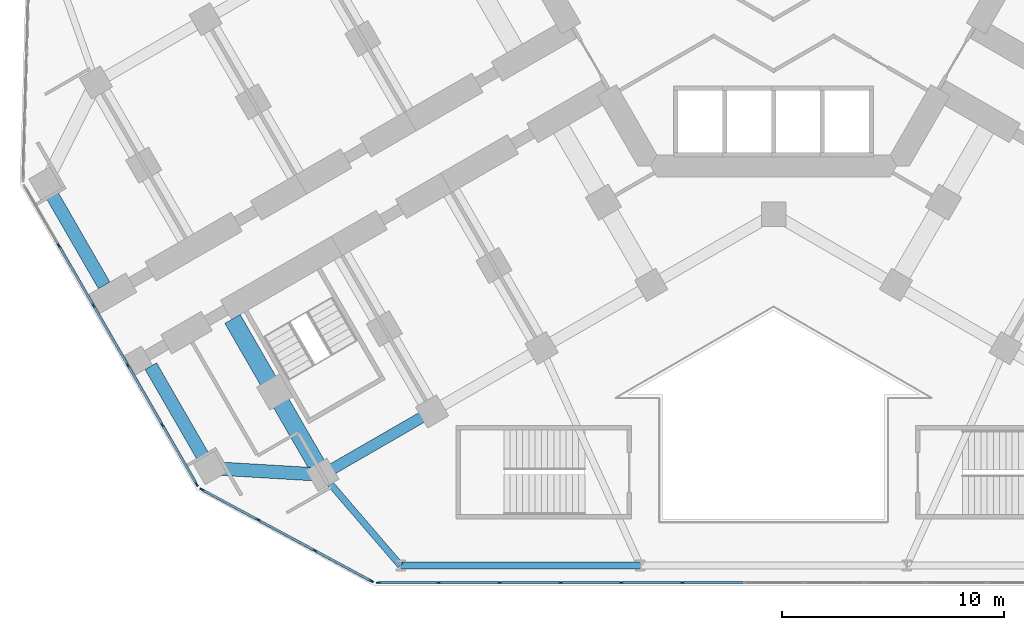
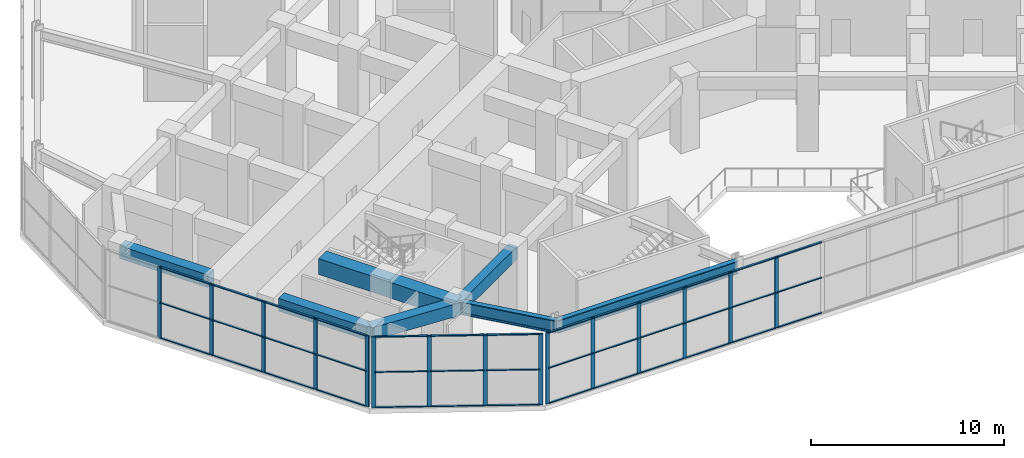
# One storey, part 2 of 22: 54 members, 7 beams, 3 elements without a shape of their own.
"""IFC4 building model written with IfcOpenShell, lengths in metres."""

from ifc_helpers import new_model, si_unit, direction, frame, origin, origin_2d, place, context, subcontext, project, spatial, rectangle, i_section, extrude, material, material_profile, profile_set, type_object, element, aggregate, save


model = new_model("IFC4")

# Units and contexts
model_context = context("Model", 3, precision=1e-05, world=origin(), true_north=direction((0.0, 1.0)))
body_context = subcontext(model_context, "Body", "Model", "MODEL_VIEW")
ifc_project = project(units=[si_unit("LENGTHUNIT", "METRE"), si_unit("AREAUNIT", "SQUARE_METRE"), si_unit("VOLUMEUNIT", "CUBIC_METRE"), si_unit("PLANEANGLEUNIT", "RADIAN"), si_unit("MASSUNIT", "GRAM", prefix="KILO")], contexts=[model_context])

# Site, building, storey
site_placement = place(None, origin())
site = spatial("IfcSite", under=ifc_project, at=site_placement, CompositionType="ELEMENT")
building_placement = place(site_placement, origin())
building = spatial("IfcBuilding", under=site, at=building_placement, Name="Kosmar Iwan School Tower", CompositionType="ELEMENT")
storey_placement = place(building_placement, frame((0.0, 0.0, 10.800048828125)))
storey = spatial("IfcBuildingStorey", under=building, at=storey_placement, Name="L02", CompositionType="ELEMENT", Elevation=10.800048828125)

# Beams
ifc_material_1 = material(Name="Steel S355", Category="steel")
ifc_material_profile_1 = material_profile(ifc_material_1, i_section(OverallWidth=0.300048828125, OverallDepth=0.800048828125, WebThickness=0.017578125, FlangeThickness=0.032958984375, FilletRadius=0.030029296875, at=origin_2d()), Name="HE 800 B")
ifc_profile_set_1 = profile_set([ifc_material_profile_1], Name="Steel S355")
beam_type_1 = type_object("IfcBeamType", Name="Infill edge beam HE 800 B", PredefinedType="BEAM", material=ifc_profile_set_1)
beam_1_placement = place(storey_placement, frame((-6.0, -27.60009765625, 4.099853515625), z_axis=(-1.0, 0.0, 0.0), x_axis=(0.0, -1.0, 0.0)))
element("IfcBeam", 1, at=beam_1_placement, inside=storey, type_object=beam_type_1, Name="Infill edge beam BC4", PredefinedType="BEAM", context=body_context, shape_type="SweptSolid", body=[
    extrude(i_section(OverallWidth=0.300048828125, OverallDepth=0.800048828125, WebThickness=0.017578125, FlangeThickness=0.032958984375, FilletRadius=0.030029296875, at=origin_2d()), origin(), (0.0, 0.0, 1.0), 10.800048828125),
])
beam_2_placement = place(storey_placement, frame((-16.800048828125, -27.60009765625, 4.099853515625), z_axis=(-0.651941989341, 0.758268845816, 0.0), x_axis=(-0.758268845816, -0.651941989341, 0.0)))
element("IfcBeam", 2, at=beam_2_placement, inside=storey, type_object=beam_type_1, Name="Infill edge beam BC5", PredefinedType="BEAM", context=body_context, shape_type="SweptSolid", body=[
    extrude(i_section(OverallWidth=0.300048828125, OverallDepth=0.800048828125, WebThickness=0.017578125, FlangeThickness=0.032958984375, FilletRadius=0.030029296875, at=origin_2d()), origin(), (0.0, 0.0, 1.0), 5.39599609375),
])

# Curtain wall, members
ifc_material_2 = material(Name="Dark glass in black aluminium frame", Category="aluminium")
curtain_wall_type_1 = type_object("IfcCurtainWallType", Name="Podium curtain wall", PredefinedType="USERDEFINED", material=ifc_material_2)
curtain_wall_1_placement = place(storey_placement, origin())
curtain_wall_1 = element("IfcCurtainWall", 3, at=curtain_wall_1_placement, inside=storey, type_object=curtain_wall_type_1, Name="Curtain wall L02-F00", ObjectType="STICK CURTAIN WALL", PredefinedType="USERDEFINED")
ifc_material_3 = material(Name="Black anodised aluminium", Category="aluminium")
ifc_material_profile_2 = material_profile(ifc_material_3, rectangle(XDim=0.06494140625, YDim=0.219970703125, at=origin_2d()), Name="MULLION 65x220")
ifc_profile_set_2 = profile_set([ifc_material_profile_2], Name="Black anodised aluminium")
member_type_1 = type_object("IfcMemberType", Name="Podium mullion 65x220", PredefinedType="MULLION", material=ifc_profile_set_2)
member_1_placement = place(storey_placement, frame((-17.785888671875, -28.375, 0.0), z_axis=(0.0, 0.0, 1.0), x_axis=(0.0, 1.0, 0.0)))
member_1 = element("IfcMember", 4, at=member_1_placement, type_object=member_type_1, Name="CW3 mullion 1", PredefinedType="MULLION", context=body_context, shape_type="SweptSolid", body=[
    extrude(rectangle(XDim=0.06494140625, YDim=0.219970703125, at=origin_2d()), origin(), (0.0, 0.0, 1.0), 4.5),
])
member_2_placement = place(storey_placement, frame((-15.0771484375, -28.375, 0.0), z_axis=(0.0, 0.0, 1.0), x_axis=(0.0, 1.0, 0.0)))
member_2 = element("IfcMember", 5, at=member_2_placement, type_object=member_type_1, Name="CW3 mullion 2", PredefinedType="MULLION", context=body_context, shape_type="SweptSolid", body=[
    extrude(rectangle(XDim=0.06494140625, YDim=0.219970703125, at=origin_2d()), origin(), (0.0, 0.0, 1.0), 4.5),
])
member_3_placement = place(storey_placement, frame((-12.3359375, -28.375, 0.0), z_axis=(0.0, 0.0, 1.0), x_axis=(0.0, 1.0, 0.0)))
member_3 = element("IfcMember", 6, at=member_3_placement, type_object=member_type_1, Name="CW3 mullion 3", PredefinedType="MULLION", context=body_context, shape_type="SweptSolid", body=[
    extrude(rectangle(XDim=0.06494140625, YDim=0.219970703125, at=origin_2d()), origin(), (0.0, 0.0, 1.0), 4.5),
])
member_4_placement = place(storey_placement, frame((-9.594482421875, -28.375, 0.0), z_axis=(0.0, 0.0, 1.0), x_axis=(0.0, 1.0, 0.0)))
member_4 = element("IfcMember", 7, at=member_4_placement, type_object=member_type_1, Name="CW3 mullion 4", PredefinedType="MULLION", context=body_context, shape_type="SweptSolid", body=[
    extrude(rectangle(XDim=0.06494140625, YDim=0.219970703125, at=origin_2d()), origin(), (0.0, 0.0, 1.0), 4.5),
])
member_5_placement = place(storey_placement, frame((-6.853271484375, -28.375, 0.0), z_axis=(0.0, 0.0, 1.0), x_axis=(0.0, 1.0, 0.0)))
member_5 = element("IfcMember", 8, at=member_5_placement, type_object=member_type_1, Name="CW3 mullion 5", PredefinedType="MULLION", context=body_context, shape_type="SweptSolid", body=[
    extrude(rectangle(XDim=0.06494140625, YDim=0.219970703125, at=origin_2d()), origin(), (0.0, 0.0, 1.0), 4.5),
])
member_6_placement = place(storey_placement, frame((-4.112060546875, -28.375, 0.0), z_axis=(0.0, 0.0, 1.0), x_axis=(0.0, 1.0, 0.0)))
member_6 = element("IfcMember", 9, at=member_6_placement, type_object=member_type_1, Name="CW3 mullion 6", PredefinedType="MULLION", context=body_context, shape_type="SweptSolid", body=[
    extrude(rectangle(XDim=0.06494140625, YDim=0.219970703125, at=origin_2d()), origin(), (0.0, 0.0, 1.0), 4.5),
])

ifc_material_4 = material(Name="Dark glass in black aluminium frame", Category="aluminium")
curtain_wall_type_2 = type_object("IfcCurtainWallType", Name="Tower curtain wall dark glass", PredefinedType="USERDEFINED", material=ifc_material_4)
curtain_wall_2_placement = place(storey_placement, origin())
curtain_wall_2 = element("IfcCurtainWall", 10, at=curtain_wall_2_placement, inside=storey, type_object=curtain_wall_type_2, Name="Curtain wall L02-F10", ObjectType="UNITISED CURTAIN WALL", PredefinedType="USERDEFINED")
member_7_placement = place(storey_placement, frame((-32.185546875, -13.202880859375, 0.0), z_axis=(0.0, 0.0, 1.0), x_axis=(0.866025395669, 0.500000014057, 0.0)))
member_7 = element("IfcMember", 11, at=member_7_placement, type_object=member_type_1, Name="CW1 mullion 2", PredefinedType="MULLION", context=body_context, shape_type="SweptSolid", body=[
    extrude(rectangle(XDim=0.06494140625, YDim=0.219970703125, at=origin_2d()), origin(), (0.0, 0.0, 1.0), 4.5),
])
member_8_placement = place(storey_placement, frame((-30.632568359375, -15.892578125, 0.0), z_axis=(0.0, 0.0, 1.0), x_axis=(0.866025395669, 0.500000014057, 0.0)))
member_8 = element("IfcMember", 12, at=member_8_placement, type_object=member_type_1, Name="CW1 mullion 3", PredefinedType="MULLION", context=body_context, shape_type="SweptSolid", body=[
    extrude(rectangle(XDim=0.06494140625, YDim=0.219970703125, at=origin_2d()), origin(), (0.0, 0.0, 1.0), 4.5),
])
member_9_placement = place(storey_placement, frame((-29.079833984375, -18.582275390625, 0.0), z_axis=(0.0, 0.0, 1.0), x_axis=(0.866025395669, 0.500000014057, 0.0)))
member_9 = element("IfcMember", 13, at=member_9_placement, type_object=member_type_1, Name="CW1 mullion 4", PredefinedType="MULLION", context=body_context, shape_type="SweptSolid", body=[
    extrude(rectangle(XDim=0.06494140625, YDim=0.219970703125, at=origin_2d()), origin(), (0.0, 0.0, 1.0), 4.5),
])
member_10_placement = place(storey_placement, frame((-27.52685546875, -21.272216796875, 0.0), z_axis=(0.0, 0.0, 1.0), x_axis=(0.866025395669, 0.500000014057, 0.0)))
member_10 = element("IfcMember", 14, at=member_10_placement, type_object=member_type_1, Name="CW1 mullion 5", PredefinedType="MULLION", context=body_context, shape_type="SweptSolid", body=[
    extrude(rectangle(XDim=0.06494140625, YDim=0.219970703125, at=origin_2d()), origin(), (0.0, 0.0, 1.0), 4.5),
])
member_11_placement = place(storey_placement, frame((-25.990234375, -23.93359375, 0.0), z_axis=(0.0, 0.0, 1.0), x_axis=(0.866025395669, 0.500000014057, 0.0)))
member_11 = element("IfcMember", 15, at=member_11_placement, type_object=member_type_1, Name="CW1 mullion 6", PredefinedType="MULLION", context=body_context, shape_type="SweptSolid", body=[
    extrude(rectangle(XDim=0.06494140625, YDim=0.219970703125, at=origin_2d()), origin(), (0.0, 0.0, 1.0), 4.5),
])

curtain_wall_3_placement = place(storey_placement, origin())
curtain_wall_3 = element("IfcCurtainWall", 16, at=curtain_wall_3_placement, inside=storey, type_object=curtain_wall_type_1, Name="Curtain wall L02-F11", ObjectType="STICK CURTAIN WALL", PredefinedType="USERDEFINED")
member_12_placement = place(storey_placement, frame((-25.73828125, -24.178466796875, 0.0), z_axis=(0.0, 0.0, 1.0), x_axis=(0.475215410051, 0.879869486941, 0.0)))
member_12 = element("IfcMember", 17, at=member_12_placement, type_object=member_type_1, Name="CW3 mullion 1", PredefinedType="MULLION", context=body_context, shape_type="SweptSolid", body=[
    extrude(rectangle(XDim=0.06494140625, YDim=0.219970703125, at=origin_2d()), origin(), (0.0, 0.0, 1.0), 4.5),
])
member_13_placement = place(storey_placement, frame((-23.21142578125, -25.543212890625, 0.0), z_axis=(0.0, 0.0, 1.0), x_axis=(0.475215410051, 0.879869486941, 0.0)))
member_13 = element("IfcMember", 18, at=member_13_placement, type_object=member_type_1, Name="CW3 mullion 2", PredefinedType="MULLION", context=body_context, shape_type="SweptSolid", body=[
    extrude(rectangle(XDim=0.06494140625, YDim=0.219970703125, at=origin_2d()), origin(), (0.0, 0.0, 1.0), 4.5),
])
member_14_placement = place(storey_placement, frame((-20.656005859375, -26.923583984375, 0.0), z_axis=(0.0, 0.0, 1.0), x_axis=(0.475215410051, 0.879869486941, 0.0)))
member_14 = element("IfcMember", 19, at=member_14_placement, type_object=member_type_1, Name="CW3 mullion 3", PredefinedType="MULLION", context=body_context, shape_type="SweptSolid", body=[
    extrude(rectangle(XDim=0.06494140625, YDim=0.219970703125, at=origin_2d()), origin(), (0.0, 0.0, 1.0), 4.5),
])
member_15_placement = place(storey_placement, frame((-18.12890625, -28.288330078125, 0.0), z_axis=(0.0, 0.0, 1.0), x_axis=(0.475215410051, 0.879869486941, 0.0)))
member_15 = element("IfcMember", 20, at=member_15_placement, type_object=member_type_1, Name="CW3 mullion 4", PredefinedType="MULLION", context=body_context, shape_type="SweptSolid", body=[
    extrude(rectangle(XDim=0.06494140625, YDim=0.219970703125, at=origin_2d()), origin(), (0.0, 0.0, 1.0), 4.5),
])

# Beams
ifc_material_5 = material(Name="Concrete C50/60", Category="concrete")
ifc_material_profile_3 = material_profile(ifc_material_5, rectangle(XDim=0.5, YDim=0.800048828125, at=origin_2d()), Name="RC 500x800")
ifc_profile_set_3 = profile_set([ifc_material_profile_3], Name="Concrete C50/60")
beam_type_2 = type_object("IfcBeamType", Name="RC edge beam 500x800", PredefinedType="BEAM", material=ifc_profile_set_3)
beam_3_placement = place(storey_placement, frame((-15.381591796875, -20.658447265625, 4.099853515625), z_axis=(-0.866015111908, -0.50001782563, 0.0), x_axis=(0.50001782563, -0.866015111908, 0.0)))
element("IfcBeam", 21, at=beam_3_placement, inside=storey, type_object=beam_type_2, Name="Edge beam BL4", PredefinedType="BEAM", context=body_context, shape_type="SweptSolid", body=[
    extrude(rectangle(XDim=0.5, YDim=0.800048828125, at=origin_2d()), origin(), (0.0, 0.0, 1.0), 5.699951171875),
])
ifc_material_6 = material(Name="Concrete C50/60", Category="concrete")
ifc_material_profile_4 = material_profile(ifc_material_6, rectangle(XDim=0.60009765625, YDim=0.800048828125, at=origin_2d()), Name="RC 600x800")
ifc_profile_set_4 = profile_set([ifc_material_profile_4], Name="Concrete C50/60")
beam_type_3 = type_object("IfcBeamType", Name="RC tip beam 600x800", PredefinedType="BEAM", material=ifc_profile_set_4)
beam_4_placement = place(storey_placement, frame((-20.31787109375, -23.508544921875, 4.099853515625), z_axis=(-0.998260616478, 0.058955420358, 0.0), x_axis=(-0.058955420358, -0.998260616478, 0.0)))
element("IfcBeam", 22, at=beam_4_placement, inside=storey, type_object=beam_type_3, Name="Tip beam BL", PredefinedType="BEAM", context=body_context, shape_type="SweptSolid", body=[
    extrude(rectangle(XDim=0.60009765625, YDim=0.800048828125, at=origin_2d()), origin(), (0.0, 0.0, 1.0), 5.08935546875),
])
beam_5_placement = place(storey_placement, frame((-25.3984375, -23.20849609375, 4.099853515625), z_axis=(-0.499993606316, 0.866029095148, 0.0), x_axis=(-0.866029095148, -0.499993606316, 0.0)))
element("IfcBeam", 23, at=beam_5_placement, inside=storey, type_object=beam_type_3, Name="Tip beam BL to corridor wall", PredefinedType="BEAM", context=body_context, shape_type="SweptSolid", body=[
    extrude(rectangle(XDim=0.60009765625, YDim=0.800048828125, at=origin_2d()), origin(), (0.0, 0.0, 1.0), 5.2998046875),
])
beam_6_placement = place(storey_placement, frame((-32.79833984375, -10.391357421875, 4.099853515625), z_axis=(0.499973660256, -0.866040610509, 0.0), x_axis=(0.866040610509, 0.499973660256, 0.0)))
element("IfcBeam", 24, at=beam_6_placement, inside=storey, type_object=beam_type_3, Name="Tip beam BR to corridor wall", PredefinedType="BEAM", context=body_context, shape_type="SweptSolid", body=[
    extrude(rectangle(XDim=0.60009765625, YDim=0.800048828125, at=origin_2d()), origin(), (0.0, 0.0, 1.0), 5.300048828125),
])
ifc_material_7 = material(Name="Concrete C50/60", Category="concrete")
ifc_material_profile_5 = material_profile(ifc_material_7, rectangle(XDim=0.800048828125, YDim=1.0, at=origin_2d()), Name="RC 800x1000")
ifc_profile_set_5 = profile_set([ifc_material_profile_5], Name="Concrete C50/60")
beam_type_4 = type_object("IfcBeamType", Name="RC transverse beam 800x1000", PredefinedType="BEAM", material=ifc_profile_set_5)
beam_7_placement = place(storey_placement, frame((-20.31787109375, -23.508544921875, 4.0), z_axis=(-0.499999880539, 0.866025472755, 0.0), x_axis=(-0.866025472755, -0.499999880539, 0.0)))
element("IfcBeam", 25, at=beam_7_placement, inside=storey, type_object=beam_type_4, Name="Transverse beam BL4", PredefinedType="BEAM", context=body_context, shape_type="SweptSolid", body=[
    extrude(rectangle(XDim=0.800048828125, YDim=1.0, at=origin_2d()), origin(), (0.0, 0.0, 1.0), 8.10009765625),
])

# Member
ifc_material_8 = material(Name="Black anodised aluminium", Category="aluminium")
ifc_material_profile_6 = material_profile(ifc_material_8, rectangle(XDim=0.1201171875, YDim=0.06005859375, at=origin_2d()), Name="TRANSOM 60x120")
ifc_profile_set_6 = profile_set([ifc_material_profile_6], Name="Black anodised aluminium")
member_type_2 = type_object("IfcMemberType", Name="Transom 60x120", PredefinedType="USERDEFINED", material=ifc_profile_set_6)
member_16_placement = place(storey_placement, frame((-17.75341796875, -28.375, 0.030029296875), z_axis=(1.0, 0.0, 0.0), x_axis=(0.0, 1.0, 0.0)))
member_16 = element("IfcMember", 26, at=member_16_placement, type_object=member_type_2, Name="CW3 transom 1.1", ObjectType="TRANSOM", PredefinedType="USERDEFINED", context=body_context, shape_type="SweptSolid", body=[
    extrude(rectangle(XDim=0.1201171875, YDim=0.06005859375, at=origin_2d()), origin(), (0.0, 0.0, 1.0), 2.643798828125),
])

member_17_placement = place(storey_placement, frame((-17.75341796875, -28.375, 2.25), z_axis=(1.0, 0.0, 0.0), x_axis=(0.0, 1.0, 0.0)))
member_17 = element("IfcMember", 27, at=member_17_placement, type_object=member_type_2, Name="CW3 transom 1.2", ObjectType="TRANSOM", PredefinedType="USERDEFINED", context=body_context, shape_type="SweptSolid", body=[
    extrude(rectangle(XDim=0.1201171875, YDim=0.06005859375, at=origin_2d()), origin(), (0.0, 0.0, 1.0), 2.643798828125),
])

member_18_placement = place(storey_placement, frame((-17.75341796875, -28.375, 4.469970703125), z_axis=(1.0, 0.0, 0.0), x_axis=(0.0, 1.0, 0.0)))
member_18 = element("IfcMember", 28, at=member_18_placement, type_object=member_type_2, Name="CW3 transom 1.3", ObjectType="TRANSOM", PredefinedType="USERDEFINED", context=body_context, shape_type="SweptSolid", body=[
    extrude(rectangle(XDim=0.1201171875, YDim=0.06005859375, at=origin_2d()), origin(), (0.0, 0.0, 1.0), 2.643798828125),
])

member_19_placement = place(storey_placement, frame((-15.044677734375, -28.375, 0.030029296875), z_axis=(1.0, 0.0, 0.0), x_axis=(0.0, 1.0, 0.0)))
member_19 = element("IfcMember", 29, at=member_19_placement, type_object=member_type_2, Name="CW3 transom 2.1", ObjectType="TRANSOM", PredefinedType="USERDEFINED", context=body_context, shape_type="SweptSolid", body=[
    extrude(rectangle(XDim=0.1201171875, YDim=0.06005859375, at=origin_2d()), origin(), (0.0, 0.0, 1.0), 2.67626953125),
])

member_20_placement = place(storey_placement, frame((-15.044677734375, -28.375, 2.25), z_axis=(1.0, 0.0, 0.0), x_axis=(0.0, 1.0, 0.0)))
member_20 = element("IfcMember", 30, at=member_20_placement, type_object=member_type_2, Name="CW3 transom 2.2", ObjectType="TRANSOM", PredefinedType="USERDEFINED", context=body_context, shape_type="SweptSolid", body=[
    extrude(rectangle(XDim=0.1201171875, YDim=0.06005859375, at=origin_2d()), origin(), (0.0, 0.0, 1.0), 2.67626953125),
])

member_21_placement = place(storey_placement, frame((-15.044677734375, -28.375, 4.469970703125), z_axis=(1.0, 0.0, 0.0), x_axis=(0.0, 1.0, 0.0)))
member_21 = element("IfcMember", 31, at=member_21_placement, type_object=member_type_2, Name="CW3 transom 2.3", ObjectType="TRANSOM", PredefinedType="USERDEFINED", context=body_context, shape_type="SweptSolid", body=[
    extrude(rectangle(XDim=0.1201171875, YDim=0.06005859375, at=origin_2d()), origin(), (0.0, 0.0, 1.0), 2.67626953125),
])

member_22_placement = place(storey_placement, frame((-12.30322265625, -28.375, 0.030029296875), z_axis=(1.0, 0.0, 0.0), x_axis=(0.0, 1.0, 0.0)))
member_22 = element("IfcMember", 32, at=member_22_placement, type_object=member_type_2, Name="CW3 transom 3.1", ObjectType="TRANSOM", PredefinedType="USERDEFINED", context=body_context, shape_type="SweptSolid", body=[
    extrude(rectangle(XDim=0.1201171875, YDim=0.06005859375, at=origin_2d()), origin(), (0.0, 0.0, 1.0), 2.67626953125),
])

member_23_placement = place(storey_placement, frame((-12.30322265625, -28.375, 2.25), z_axis=(1.0, 0.0, 0.0), x_axis=(0.0, 1.0, 0.0)))
member_23 = element("IfcMember", 33, at=member_23_placement, type_object=member_type_2, Name="CW3 transom 3.2", ObjectType="TRANSOM", PredefinedType="USERDEFINED", context=body_context, shape_type="SweptSolid", body=[
    extrude(rectangle(XDim=0.1201171875, YDim=0.06005859375, at=origin_2d()), origin(), (0.0, 0.0, 1.0), 2.67626953125),
])

member_24_placement = place(storey_placement, frame((-12.30322265625, -28.375, 4.469970703125), z_axis=(1.0, 0.0, 0.0), x_axis=(0.0, 1.0, 0.0)))
member_24 = element("IfcMember", 34, at=member_24_placement, type_object=member_type_2, Name="CW3 transom 3.3", ObjectType="TRANSOM", PredefinedType="USERDEFINED", context=body_context, shape_type="SweptSolid", body=[
    extrude(rectangle(XDim=0.1201171875, YDim=0.06005859375, at=origin_2d()), origin(), (0.0, 0.0, 1.0), 2.67626953125),
])

member_25_placement = place(storey_placement, frame((-9.56201171875, -28.375, 0.030029296875), z_axis=(1.0, 0.0, 0.0), x_axis=(0.0, 1.0, 0.0)))
member_25 = element("IfcMember", 35, at=member_25_placement, type_object=member_type_2, Name="CW3 transom 4.1", ObjectType="TRANSOM", PredefinedType="USERDEFINED", context=body_context, shape_type="SweptSolid", body=[
    extrude(rectangle(XDim=0.1201171875, YDim=0.06005859375, at=origin_2d()), origin(), (0.0, 0.0, 1.0), 2.67626953125),
])

member_26_placement = place(storey_placement, frame((-9.56201171875, -28.375, 2.25), z_axis=(1.0, 0.0, 0.0), x_axis=(0.0, 1.0, 0.0)))
member_26 = element("IfcMember", 36, at=member_26_placement, type_object=member_type_2, Name="CW3 transom 4.2", ObjectType="TRANSOM", PredefinedType="USERDEFINED", context=body_context, shape_type="SweptSolid", body=[
    extrude(rectangle(XDim=0.1201171875, YDim=0.06005859375, at=origin_2d()), origin(), (0.0, 0.0, 1.0), 2.67626953125),
])

member_27_placement = place(storey_placement, frame((-9.56201171875, -28.375, 4.469970703125), z_axis=(1.0, 0.0, 0.0), x_axis=(0.0, 1.0, 0.0)))
member_27 = element("IfcMember", 37, at=member_27_placement, type_object=member_type_2, Name="CW3 transom 4.3", ObjectType="TRANSOM", PredefinedType="USERDEFINED", context=body_context, shape_type="SweptSolid", body=[
    extrude(rectangle(XDim=0.1201171875, YDim=0.06005859375, at=origin_2d()), origin(), (0.0, 0.0, 1.0), 2.67626953125),
])

member_28_placement = place(storey_placement, frame((-6.82080078125, -28.375, 0.030029296875), z_axis=(1.0, 0.0, 0.0), x_axis=(0.0, 1.0, 0.0)))
member_28 = element("IfcMember", 38, at=member_28_placement, type_object=member_type_2, Name="CW3 transom 5.1", ObjectType="TRANSOM", PredefinedType="USERDEFINED", context=body_context, shape_type="SweptSolid", body=[
    extrude(rectangle(XDim=0.1201171875, YDim=0.06005859375, at=origin_2d()), origin(), (0.0, 0.0, 1.0), 2.67626953125),
])

member_29_placement = place(storey_placement, frame((-6.82080078125, -28.375, 2.25), z_axis=(1.0, 0.0, 0.0), x_axis=(0.0, 1.0, 0.0)))
member_29 = element("IfcMember", 39, at=member_29_placement, type_object=member_type_2, Name="CW3 transom 5.2", ObjectType="TRANSOM", PredefinedType="USERDEFINED", context=body_context, shape_type="SweptSolid", body=[
    extrude(rectangle(XDim=0.1201171875, YDim=0.06005859375, at=origin_2d()), origin(), (0.0, 0.0, 1.0), 2.67626953125),
])

member_30_placement = place(storey_placement, frame((-6.82080078125, -28.375, 4.469970703125), z_axis=(1.0, 0.0, 0.0), x_axis=(0.0, 1.0, 0.0)))
member_30 = element("IfcMember", 40, at=member_30_placement, type_object=member_type_2, Name="CW3 transom 5.3", ObjectType="TRANSOM", PredefinedType="USERDEFINED", context=body_context, shape_type="SweptSolid", body=[
    extrude(rectangle(XDim=0.1201171875, YDim=0.06005859375, at=origin_2d()), origin(), (0.0, 0.0, 1.0), 2.67626953125),
])

member_31_placement = place(storey_placement, frame((-4.079345703125, -28.375, 0.030029296875), z_axis=(1.0, 0.0, 0.0), x_axis=(0.0, 1.0, 0.0)))
member_31 = element("IfcMember", 41, at=member_31_placement, type_object=member_type_2, Name="CW3 transom 6.1", ObjectType="TRANSOM", PredefinedType="USERDEFINED", context=body_context, shape_type="SweptSolid", body=[
    extrude(rectangle(XDim=0.1201171875, YDim=0.06005859375, at=origin_2d()), origin(), (0.0, 0.0, 1.0), 2.67626953125),
])

member_32_placement = place(storey_placement, frame((-4.079345703125, -28.375, 2.25), z_axis=(1.0, 0.0, 0.0), x_axis=(0.0, 1.0, 0.0)))
member_32 = element("IfcMember", 42, at=member_32_placement, type_object=member_type_2, Name="CW3 transom 6.2", ObjectType="TRANSOM", PredefinedType="USERDEFINED", context=body_context, shape_type="SweptSolid", body=[
    extrude(rectangle(XDim=0.1201171875, YDim=0.06005859375, at=origin_2d()), origin(), (0.0, 0.0, 1.0), 2.67626953125),
])

member_33_placement = place(storey_placement, frame((-4.079345703125, -28.375, 4.469970703125), z_axis=(1.0, 0.0, 0.0), x_axis=(0.0, 1.0, 0.0)))
member_33 = element("IfcMember", 43, at=member_33_placement, type_object=member_type_2, Name="CW3 transom 6.3", ObjectType="TRANSOM", PredefinedType="USERDEFINED", context=body_context, shape_type="SweptSolid", body=[
    extrude(rectangle(XDim=0.1201171875, YDim=0.06005859375, at=origin_2d()), origin(), (0.0, 0.0, 1.0), 2.67626953125),
])

aggregate(curtain_wall_1, [member_1, member_2, member_3, member_4, member_5, member_6, member_16, member_17, member_18, member_19, member_20, member_21, member_22, member_23, member_24, member_25, member_26, member_27, member_28, member_29, member_30, member_31, member_32, member_33])

member_34_placement = place(storey_placement, frame((-32.16943359375, -13.23095703125, 0.030029296875), z_axis=(0.50000738486, -0.866021140091, 0.0), x_axis=(0.866021140091, 0.50000738486, 0.0)))
member_34 = element("IfcMember", 44, at=member_34_placement, type_object=member_type_2, Name="CW1 transom 2.1", ObjectType="TRANSOM", PredefinedType="USERDEFINED", context=body_context, shape_type="SweptSolid", body=[
    extrude(rectangle(XDim=0.1201171875, YDim=0.06005859375, at=origin_2d()), origin(), (0.0, 0.0, 1.0), 3.041015625),
])

member_35_placement = place(storey_placement, frame((-32.16943359375, -13.23095703125, 2.25), z_axis=(0.50000738486, -0.866021140091, 0.0), x_axis=(0.866021140091, 0.50000738486, 0.0)))
member_35 = element("IfcMember", 45, at=member_35_placement, type_object=member_type_2, Name="CW1 transom 2.2", ObjectType="TRANSOM", PredefinedType="USERDEFINED", context=body_context, shape_type="SweptSolid", body=[
    extrude(rectangle(XDim=0.1201171875, YDim=0.06005859375, at=origin_2d()), origin(), (0.0, 0.0, 1.0), 3.041015625),
])

member_36_placement = place(storey_placement, frame((-32.16943359375, -13.23095703125, 4.469970703125), z_axis=(0.50000738486, -0.866021140091, 0.0), x_axis=(0.866021140091, 0.50000738486, 0.0)))
member_36 = element("IfcMember", 46, at=member_36_placement, type_object=member_type_2, Name="CW1 transom 2.3", ObjectType="TRANSOM", PredefinedType="USERDEFINED", context=body_context, shape_type="SweptSolid", body=[
    extrude(rectangle(XDim=0.1201171875, YDim=0.06005859375, at=origin_2d()), origin(), (0.0, 0.0, 1.0), 3.041015625),
])

member_37_placement = place(storey_placement, frame((-30.616455078125, -15.9208984375, 0.030029296875), z_axis=(0.500042151114, -0.86600106646, 0.0), x_axis=(0.86600106646, 0.500042151114, 0.0)))
member_37 = element("IfcMember", 47, at=member_37_placement, type_object=member_type_2, Name="CW1 transom 3.1", ObjectType="TRANSOM", PredefinedType="USERDEFINED", context=body_context, shape_type="SweptSolid", body=[
    extrude(rectangle(XDim=0.1201171875, YDim=0.06005859375, at=origin_2d()), origin(), (0.0, 0.0, 1.0), 3.040771484375),
])

member_38_placement = place(storey_placement, frame((-30.616455078125, -15.9208984375, 2.25), z_axis=(0.500042151114, -0.86600106646, 0.0), x_axis=(0.86600106646, 0.500042151114, 0.0)))
member_38 = element("IfcMember", 48, at=member_38_placement, type_object=member_type_2, Name="CW1 transom 3.2", ObjectType="TRANSOM", PredefinedType="USERDEFINED", context=body_context, shape_type="SweptSolid", body=[
    extrude(rectangle(XDim=0.1201171875, YDim=0.06005859375, at=origin_2d()), origin(), (0.0, 0.0, 1.0), 3.040771484375),
])

member_39_placement = place(storey_placement, frame((-30.616455078125, -15.9208984375, 4.469970703125), z_axis=(0.500042151114, -0.86600106646, 0.0), x_axis=(0.86600106646, 0.500042151114, 0.0)))
member_39 = element("IfcMember", 49, at=member_39_placement, type_object=member_type_2, Name="CW1 transom 3.3", ObjectType="TRANSOM", PredefinedType="USERDEFINED", context=body_context, shape_type="SweptSolid", body=[
    extrude(rectangle(XDim=0.1201171875, YDim=0.06005859375, at=origin_2d()), origin(), (0.0, 0.0, 1.0), 3.040771484375),
])

member_40_placement = place(storey_placement, frame((-29.0634765625, -18.610595703125, 0.030029296875), z_axis=(0.49998193385, -0.86603583403, 0.0), x_axis=(0.86603583403, 0.49998193385, 0.0)))
member_40 = element("IfcMember", 50, at=member_40_placement, type_object=member_type_2, Name="CW1 transom 4.1", ObjectType="TRANSOM", PredefinedType="USERDEFINED", context=body_context, shape_type="SweptSolid", body=[
    extrude(rectangle(XDim=0.1201171875, YDim=0.06005859375, at=origin_2d()), origin(), (0.0, 0.0, 1.0), 3.04052734375),
])

member_41_placement = place(storey_placement, frame((-29.0634765625, -18.610595703125, 2.25), z_axis=(0.49998193385, -0.86603583403, 0.0), x_axis=(0.86603583403, 0.49998193385, 0.0)))
member_41 = element("IfcMember", 51, at=member_41_placement, type_object=member_type_2, Name="CW1 transom 4.2", ObjectType="TRANSOM", PredefinedType="USERDEFINED", context=body_context, shape_type="SweptSolid", body=[
    extrude(rectangle(XDim=0.1201171875, YDim=0.06005859375, at=origin_2d()), origin(), (0.0, 0.0, 1.0), 3.04052734375),
])

member_42_placement = place(storey_placement, frame((-29.0634765625, -18.610595703125, 4.469970703125), z_axis=(0.49998193385, -0.86603583403, 0.0), x_axis=(0.86603583403, 0.49998193385, 0.0)))
member_42 = element("IfcMember", 52, at=member_42_placement, type_object=member_type_2, Name="CW1 transom 4.3", ObjectType="TRANSOM", PredefinedType="USERDEFINED", context=body_context, shape_type="SweptSolid", body=[
    extrude(rectangle(XDim=0.1201171875, YDim=0.06005859375, at=origin_2d()), origin(), (0.0, 0.0, 1.0), 3.04052734375),
])

member_43_placement = place(storey_placement, frame((-27.510498046875, -21.30029296875, 0.030029296875), z_axis=(0.500005799286, -0.866022055539, 0.0), x_axis=(0.866022055539, 0.500005799286, 0.0)))
member_43 = element("IfcMember", 53, at=member_43_placement, type_object=member_type_2, Name="CW1 transom 5.1", ObjectType="TRANSOM", PredefinedType="USERDEFINED", context=body_context, shape_type="SweptSolid", body=[
    extrude(rectangle(XDim=0.1201171875, YDim=0.06005859375, at=origin_2d()), origin(), (0.0, 0.0, 1.0), 3.00830078125),
])

member_44_placement = place(storey_placement, frame((-27.510498046875, -21.30029296875, 2.25), z_axis=(0.500005799286, -0.866022055539, 0.0), x_axis=(0.866022055539, 0.500005799286, 0.0)))
member_44 = element("IfcMember", 54, at=member_44_placement, type_object=member_type_2, Name="CW1 transom 5.2", ObjectType="TRANSOM", PredefinedType="USERDEFINED", context=body_context, shape_type="SweptSolid", body=[
    extrude(rectangle(XDim=0.1201171875, YDim=0.06005859375, at=origin_2d()), origin(), (0.0, 0.0, 1.0), 3.00830078125),
])

member_45_placement = place(storey_placement, frame((-27.510498046875, -21.30029296875, 4.469970703125), z_axis=(0.500005799286, -0.866022055539, 0.0), x_axis=(0.866022055539, 0.500005799286, 0.0)))
member_45 = element("IfcMember", 55, at=member_45_placement, type_object=member_type_2, Name="CW1 transom 5.3", ObjectType="TRANSOM", PredefinedType="USERDEFINED", context=body_context, shape_type="SweptSolid", body=[
    extrude(rectangle(XDim=0.1201171875, YDim=0.06005859375, at=origin_2d()), origin(), (0.0, 0.0, 1.0), 3.00830078125),
])

aggregate(curtain_wall_2, [member_7, member_8, member_9, member_10, member_11, member_34, member_35, member_36, member_37, member_38, member_39, member_40, member_41, member_42, member_43, member_44, member_45])

member_46_placement = place(storey_placement, frame((-25.709716796875, -24.19384765625, 0.030029296875), z_axis=(0.879855938213, -0.475240494899, 0.0), x_axis=(0.475240494899, 0.879855938213, 0.0)))
member_46 = element("IfcMember", 56, at=member_46_placement, type_object=member_type_2, Name="CW3 transom 1.1", ObjectType="TRANSOM", PredefinedType="USERDEFINED", context=body_context, shape_type="SweptSolid", body=[
    extrude(rectangle(XDim=0.1201171875, YDim=0.06005859375, at=origin_2d()), origin(), (0.0, 0.0, 1.0), 2.806884765625),
])

member_47_placement = place(storey_placement, frame((-25.709716796875, -24.19384765625, 2.25), z_axis=(0.879855938213, -0.475240494899, 0.0), x_axis=(0.475240494899, 0.879855938213, 0.0)))
member_47 = element("IfcMember", 57, at=member_47_placement, type_object=member_type_2, Name="CW3 transom 1.2", ObjectType="TRANSOM", PredefinedType="USERDEFINED", context=body_context, shape_type="SweptSolid", body=[
    extrude(rectangle(XDim=0.1201171875, YDim=0.06005859375, at=origin_2d()), origin(), (0.0, 0.0, 1.0), 2.806884765625),
])

member_48_placement = place(storey_placement, frame((-25.709716796875, -24.19384765625, 4.469970703125), z_axis=(0.879855938213, -0.475240494899, 0.0), x_axis=(0.475240494899, 0.879855938213, 0.0)))
member_48 = element("IfcMember", 58, at=member_48_placement, type_object=member_type_2, Name="CW3 transom 1.3", ObjectType="TRANSOM", PredefinedType="USERDEFINED", context=body_context, shape_type="SweptSolid", body=[
    extrude(rectangle(XDim=0.1201171875, YDim=0.06005859375, at=origin_2d()), origin(), (0.0, 0.0, 1.0), 2.806884765625),
])

member_49_placement = place(storey_placement, frame((-23.182861328125, -25.55859375, 0.030029296875), z_axis=(0.879862975212, -0.475227466432, 0.0), x_axis=(0.475227466432, 0.879862975212, 0.0)))
member_49 = element("IfcMember", 59, at=member_49_placement, type_object=member_type_2, Name="CW3 transom 2.1", ObjectType="TRANSOM", PredefinedType="USERDEFINED", context=body_context, shape_type="SweptSolid", body=[
    extrude(rectangle(XDim=0.1201171875, YDim=0.06005859375, at=origin_2d()), origin(), (0.0, 0.0, 1.0), 2.83935546875),
])

member_50_placement = place(storey_placement, frame((-23.182861328125, -25.55859375, 2.25), z_axis=(0.879862975212, -0.475227466432, 0.0), x_axis=(0.475227466432, 0.879862975212, 0.0)))
member_50 = element("IfcMember", 60, at=member_50_placement, type_object=member_type_2, Name="CW3 transom 2.2", ObjectType="TRANSOM", PredefinedType="USERDEFINED", context=body_context, shape_type="SweptSolid", body=[
    extrude(rectangle(XDim=0.1201171875, YDim=0.06005859375, at=origin_2d()), origin(), (0.0, 0.0, 1.0), 2.83935546875),
])

member_51_placement = place(storey_placement, frame((-23.182861328125, -25.55859375, 4.469970703125), z_axis=(0.879862975212, -0.475227466432, 0.0), x_axis=(0.475227466432, 0.879862975212, 0.0)))
member_51 = element("IfcMember", 61, at=member_51_placement, type_object=member_type_2, Name="CW3 transom 2.3", ObjectType="TRANSOM", PredefinedType="USERDEFINED", context=body_context, shape_type="SweptSolid", body=[
    extrude(rectangle(XDim=0.1201171875, YDim=0.06005859375, at=origin_2d()), origin(), (0.0, 0.0, 1.0), 2.83935546875),
])

member_52_placement = place(storey_placement, frame((-20.627197265625, -26.93896484375, 0.030029296875), z_axis=(0.879855938213, -0.475240494899, 0.0), x_axis=(0.475240494899, 0.879855938213, 0.0)))
member_52 = element("IfcMember", 62, at=member_52_placement, type_object=member_type_2, Name="CW3 transom 3.1", ObjectType="TRANSOM", PredefinedType="USERDEFINED", context=body_context, shape_type="SweptSolid", body=[
    extrude(rectangle(XDim=0.1201171875, YDim=0.06005859375, at=origin_2d()), origin(), (0.0, 0.0, 1.0), 2.806884765625),
])

member_53_placement = place(storey_placement, frame((-20.627197265625, -26.93896484375, 2.25), z_axis=(0.879855938213, -0.475240494899, 0.0), x_axis=(0.475240494899, 0.879855938213, 0.0)))
member_53 = element("IfcMember", 63, at=member_53_placement, type_object=member_type_2, Name="CW3 transom 3.2", ObjectType="TRANSOM", PredefinedType="USERDEFINED", context=body_context, shape_type="SweptSolid", body=[
    extrude(rectangle(XDim=0.1201171875, YDim=0.06005859375, at=origin_2d()), origin(), (0.0, 0.0, 1.0), 2.806884765625),
])

member_54_placement = place(storey_placement, frame((-20.627197265625, -26.93896484375, 4.469970703125), z_axis=(0.879855938213, -0.475240494899, 0.0), x_axis=(0.475240494899, 0.879855938213, 0.0)))
member_54 = element("IfcMember", 64, at=member_54_placement, type_object=member_type_2, Name="CW3 transom 3.3", ObjectType="TRANSOM", PredefinedType="USERDEFINED", context=body_context, shape_type="SweptSolid", body=[
    extrude(rectangle(XDim=0.1201171875, YDim=0.06005859375, at=origin_2d()), origin(), (0.0, 0.0, 1.0), 2.806884765625),
])

aggregate(curtain_wall_3, [member_12, member_13, member_14, member_15, member_46, member_47, member_48, member_49, member_50, member_51, member_52, member_53, member_54])

save(model, "model.ifc")
